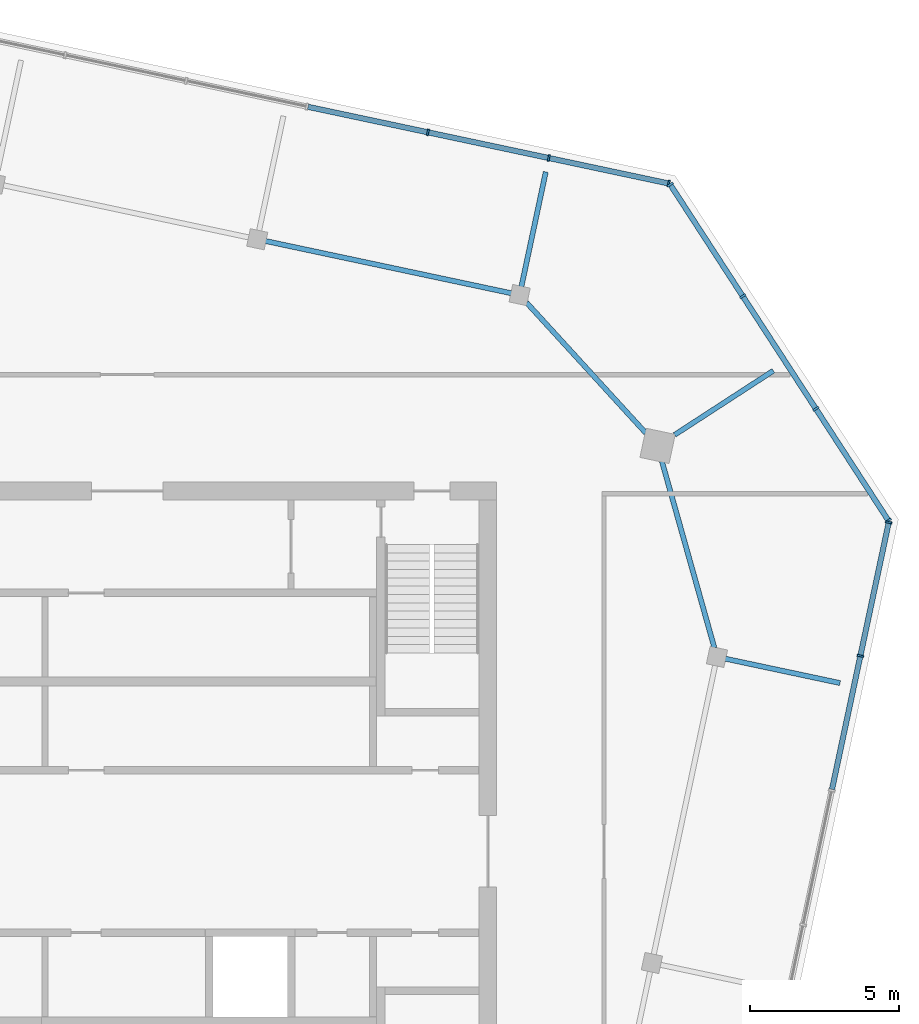
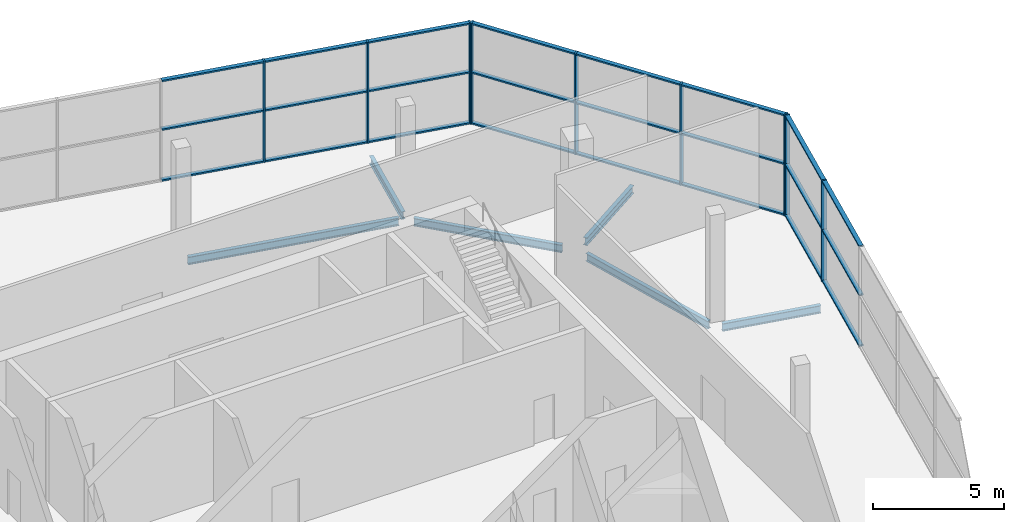
# One storey, part 6 of 11: 33 members, 6 beams, 3 elements without a shape of their own.
"""IFC4 building model written with IfcOpenShell, lengths in metres."""

import ifcopenshell
import ifcopenshell.guid

model = None  # the IFC model being written
_history = None  # IfcOwnerHistory: only IFC2X3 demands one
_inside = {}  # id of a spatial element -> (the spatial element, [elements in it])
_under = {}  # id of a project, library or spatial element -> (it, [spatial elements below it])
_declared = {}  # id of a project -> (the project, [libraries it declares])
_typed = {}  # id of a type object -> (the type object, [elements of that type])
_made_of = {}  # id of a material, layer set ... -> (it, [elements and type objects made of it])


def new_model(schema):
    """Start an empty IFC model of exactly this schema.

    Asked for "IFC4X3", IfcOpenShell would pick the latest addendum, in which some entities
    have other attributes; the version numbers below select the first issue.
    IFC2X3 requires an IfcOwnerHistory on every rooted entity: one is made here for all.
    """
    global model, _history
    if schema == "IFC4X3":
        model = ifcopenshell.file(schema_version=(4, 3, 0, 0))
    else:
        model = ifcopenshell.file(schema=schema)
    _inside.clear()
    _under.clear()
    _declared.clear()
    _typed.clear()
    _made_of.clear()
    _history = None
    if model.schema == "IFC2X3":
        org = make("IfcOrganization", Name="unknown")
        user = make(
            "IfcPersonAndOrganization",
            ThePerson=make("IfcPerson", FamilyName="unknown"),
            TheOrganization=org,
        )
        app = make(
            "IfcApplication",
            ApplicationDeveloper=org,
            Version="unknown",
            ApplicationFullName="unknown",
            ApplicationIdentifier="unknown",
        )
        _history = make(
            "IfcOwnerHistory",
            OwningUser=user,
            OwningApplication=app,
            ChangeAction="ADDED",
            CreationDate=0,
        )
    return model


def make(cls, **values):
    """One entity of the class cls with the attributes given. An attribute that is None is left unset."""
    return model.create_entity(
        cls, **{name: value for name, value in values.items() if value is not None}
    )


def rooted(cls, **values):
    """An entity with a GlobalId (a new one), such as an element, a storey or a relation."""
    return make(cls, GlobalId=ifcopenshell.guid.new(), OwnerHistory=_history, **values)


def si_unit(unit_type, name, prefix=None):
    """IfcSIUnit, for example si_unit("LENGTHUNIT", "METRE", prefix="MILLI")."""
    return make("IfcSIUnit", UnitType=unit_type, Prefix=prefix, Name=name)


def assignment(units):
    """IfcUnitAssignment: the units of a project."""
    return None if units is None else make("IfcUnitAssignment", Units=units)


def point(xyz):
    """IfcCartesianPoint."""
    return None if xyz is None else make("IfcCartesianPoint", Coordinates=xyz)


def direction(xyz):
    """IfcDirection."""
    return None if xyz is None else make("IfcDirection", DirectionRatios=xyz)


def frame(location, z_axis=None, x_axis=None):
    """IfcAxis2Placement3D, a coordinate frame: its origin and axes. An axis left out is left unset."""
    return make(
        "IfcAxis2Placement3D",
        Location=point(location),
        Axis=direction(z_axis),
        RefDirection=direction(x_axis),
    )


def frame_2d(location, x_axis=None):
    """IfcAxis2Placement2D, a coordinate frame in the plane: its origin and x axis."""
    return make(
        "IfcAxis2Placement2D", Location=point(location), RefDirection=direction(x_axis)
    )


def origin():
    """The frame at (0, 0, 0) with its axes left unset."""
    return frame((0.0, 0.0, 0.0))


def origin_2d():
    """The frame at (0, 0) in the plane with its x axis left unset."""
    return frame_2d((0.0, 0.0))


def place(relative_to, where):
    """IfcLocalPlacement: puts the frame where relative to a parent placement (None: the world)."""
    return make(
        "IfcLocalPlacement", PlacementRelTo=relative_to, RelativePlacement=where
    )


def context(
    kind, dimensions, precision=None, world=None, true_north=None, identifier=None
):
    """IfcGeometricRepresentationContext, for example the 3D "Model" context."""
    return make(
        "IfcGeometricRepresentationContext",
        ContextIdentifier=identifier,
        ContextType=kind,
        CoordinateSpaceDimension=dimensions,
        Precision=precision,
        WorldCoordinateSystem=world,
        TrueNorth=true_north,
    )


def subcontext(parent, identifier, kind, view, scale=None):
    """IfcGeometricRepresentationSubContext, for example "Body" below "Model"."""
    return make(
        "IfcGeometricRepresentationSubContext",
        ContextIdentifier=identifier,
        ContextType=kind,
        ParentContext=parent,
        TargetScale=scale,
        TargetView=view,
    )


def project(units=None, contexts=None):
    """IfcProject with its units and contexts."""
    return rooted(
        "IfcProject",
        Name="project",
        RepresentationContexts=contexts,
        UnitsInContext=assignment(units),
    )


def spatial(cls, under=None, at=None, **own):
    """A site, building, storey or space (cls), placed at a placement, below another one or the project."""
    s = rooted(cls, ObjectPlacement=at, **own)
    if under is not None:
        _under.setdefault(under.id(), (under, []))[1].append(s)
    return s


def profile(cls, at=None, kind="AREA", **sizes):
    """A parametric profile (cls). Its sizes go by their IFC names, for example OverallWidth=200.0."""
    return make(cls, ProfileType=kind, Position=at, **sizes)


def rectangle(**sizes):
    """IfcRectangleProfileDef."""
    return profile("IfcRectangleProfileDef", **sizes)


def i_section(**sizes):
    """IfcIShapeProfileDef."""
    return profile("IfcIShapeProfileDef", **sizes)


def extrude(swept, where, along, depth):
    """IfcExtrudedAreaSolid: the profile swept, set in the frame where, extruded along a direction by depth."""
    return make(
        "IfcExtrudedAreaSolid",
        SweptArea=swept,
        Position=where,
        ExtrudedDirection=direction(along),
        Depth=depth,
    )


def shape(context_of_items, identifier, shape_type, items):
    """IfcShapeRepresentation: the items that make up one representation, for example the "Body"."""
    return make(
        "IfcShapeRepresentation",
        ContextOfItems=context_of_items,
        RepresentationIdentifier=identifier,
        RepresentationType=shape_type,
        Items=items,
    )


def material(Name=None, Category=None):
    """IfcMaterial."""
    return make("IfcMaterial", Name=Name, Category=Category)


def material_profile(
    of_material, cross_section, Name=None, Category=None, Priority=None
):
    """IfcMaterialProfile: a cross section and its material."""
    return make(
        "IfcMaterialProfile",
        Name=Name,
        Material=of_material,
        Profile=cross_section,
        Priority=Priority,
        Category=Category,
    )


def profile_set(profiles, Name=None, composite=None):
    """IfcMaterialProfileSet."""
    return make(
        "IfcMaterialProfileSet",
        Name=Name,
        MaterialProfiles=profiles,
        CompositeProfile=composite,
    )


def made_of(thing, what):
    """Note that an element or type object is made of a material, layer set ...; save() writes the relation."""
    if what is not None:
        _made_of.setdefault(what.id(), (what, []))[1].append(thing)
    return thing


def type_object(cls, material=None, **own):
    """A type object (cls), such as IfcWallType, which elements share."""
    return made_of(rooted(cls, **own), material)


def element(
    cls,
    number,
    at=None,
    inside=None,
    cuts=None,
    type_object=None,
    material=None,
    context=None,
    identifier="Body",
    shape_type=None,
    held_by="IfcProductDefinitionShape",
    body=None,
    shapes=None,
    **own,
):
    """One element of the class cls, such as IfcWall. Its Tag is "e" and its number.

    at: its placement. inside: the storey or other place that contains it. cuts: it is an
    opening in that element (IfcRelVoidsElement). A single representation is given by context,
    identifier, shape_type and body (its items); several are given by shapes. held_by: the class
    of the entity that holds the representations. save() writes the other relations.
    """
    e = rooted(cls, Tag="e%d" % number, ObjectPlacement=at, **own)
    if body is not None:
        shapes = [shape(context, identifier, shape_type, body)]
    if shapes is not None:
        e.Representation = make(held_by, Representations=shapes)
    if inside is not None:
        _inside.setdefault(inside.id(), (inside, []))[1].append(e)
    if cuts is not None:
        rooted(
            "IfcRelVoidsElement", RelatingBuildingElement=cuts, RelatedOpeningElement=e
        )
    if type_object is not None:
        _typed.setdefault(type_object.id(), (type_object, []))[1].append(e)
    return made_of(e, material)


def aggregate(whole, parts):
    """IfcRelAggregates: a whole, such as a stair, and the parts it consists of."""
    return rooted("IfcRelAggregates", RelatingObject=whole, RelatedObjects=parts)


def save(model, path):
    """Write the relations noted so far, then the file.

    IfcRelAggregates (storeys below a building ...), IfcRelContainedInSpatialStructure (elements
    in a storey), IfcRelDefinesByType, IfcRelAssociatesMaterial and IfcRelDeclares: one each for
    every whole, place, type object, material and project.
    """
    for whole, parts in _under.values():
        aggregate(whole, parts)
    for where, things in _inside.values():
        rooted(
            "IfcRelContainedInSpatialStructure",
            RelatedElements=things,
            RelatingStructure=where,
        )
    for kind, things in _typed.values():
        rooted("IfcRelDefinesByType", RelatedObjects=things, RelatingType=kind)
    for what, things in _made_of.values():
        rooted("IfcRelAssociatesMaterial", RelatedObjects=things, RelatingMaterial=what)
    for by, libraries in _declared.values():
        rooted("IfcRelDeclares", RelatingContext=by, RelatedDefinitions=libraries)
    model.write(path)


model = new_model("IFC4")

# Units and contexts
model_context = context("Model", 3, precision=1e-05, world=origin(), true_north=direction((0.0, 1.0)))
body_context = subcontext(model_context, "Body", "Model", "MODEL_VIEW")
ifc_project = project(units=[si_unit("LENGTHUNIT", "METRE"), si_unit("AREAUNIT", "SQUARE_METRE"), si_unit("VOLUMEUNIT", "CUBIC_METRE"), si_unit("PLANEANGLEUNIT", "RADIAN"), si_unit("MASSUNIT", "GRAM", prefix="KILO")], contexts=[model_context])

# Site, building, storey
site_placement = place(None, origin())
site = spatial("IfcSite", under=ifc_project, at=site_placement, CompositionType="ELEMENT")
building_placement = place(site_placement, origin())
building = spatial("IfcBuilding", under=site, at=building_placement, Name="Dilmun Exchange Tower", CompositionType="ELEMENT")
storey_placement = place(building_placement, frame((0.0, 0.0, 363.10009765625)))
storey = spatial("IfcBuildingStorey", under=building, at=storey_placement, Name="Crown L85", CompositionType="ELEMENT", Elevation=363.10009765625)

# Curtain wall, members
ifc_material_1 = material(Name="Anodised aluminium and clear glass", Category="aluminium")
curtain_wall_type = type_object("IfcCurtainWallType", Name="Sky garden glazing", PredefinedType="NOTDEFINED", material=ifc_material_1)
curtain_wall_1_placement = place(storey_placement, origin())
curtain_wall_1 = element("IfcCurtainWall", 1, at=curtain_wall_1_placement, inside=storey, type_object=curtain_wall_type, Name="Sky garden glazing run SG3", PredefinedType="NOTDEFINED")
ifc_material_2 = material(Name="Anodised aluminium", Category="aluminium")
ifc_material_profile_1 = material_profile(ifc_material_2, rectangle(XDim=0.219970703125, YDim=0.070068359375, at=origin_2d()), Name="AL 70x220")
ifc_profile_set_1 = profile_set([ifc_material_profile_1], Name="Anodised aluminium")
member_type_1 = type_object("IfcMemberType", Name="Sky garden glazing mullion 70 x 220", PredefinedType="MULLION", material=ifc_profile_set_1)
member_1_placement = place(storey_placement, frame((24.60205078125, 6.5625, 0.0), z_axis=(0.0, 0.0, 1.0), x_axis=(-0.978147226228, 0.207913452722, 0.0)))
member_1 = element("IfcMember", 2, at=member_1_placement, type_object=member_type_1, Name="SG3 mullion 7", PredefinedType="MULLION", context=body_context, shape_type="SweptSolid", body=[
    extrude(rectangle(XDim=0.219970703125, YDim=0.070068359375, at=origin_2d()), origin(), (0.0, 0.0, 1.0), 4.699951171875),
])
member_2_placement = place(storey_placement, frame((25.553955078125, 11.041259765625, 0.0), z_axis=(0.0, 0.0, 1.0), x_axis=(-0.978147226228, 0.207913452722, 0.0)))
member_2 = element("IfcMember", 3, at=member_2_placement, type_object=member_type_1, Name="SG3 mullion 8", PredefinedType="MULLION", context=body_context, shape_type="SweptSolid", body=[
    extrude(rectangle(XDim=0.219970703125, YDim=0.070068359375, at=origin_2d()), origin(), (0.0, 0.0, 1.0), 4.699951171875),
])

curtain_wall_2_placement = place(storey_placement, origin())
curtain_wall_2 = element("IfcCurtainWall", 4, at=curtain_wall_2_placement, inside=storey, type_object=curtain_wall_type, Name="Sky garden glazing run SG4", PredefinedType="NOTDEFINED")
member_3_placement = place(storey_placement, frame((25.542236328125, 11.104736328125, 0.0), z_axis=(0.0, 0.0, 1.0), x_axis=(-0.838667132077, -0.544644325751, 0.0)))
member_3 = element("IfcMember", 5, at=member_3_placement, type_object=member_type_1, Name="SG4 mullion 1", PredefinedType="MULLION", context=body_context, shape_type="SweptSolid", body=[
    extrude(rectangle(XDim=0.219970703125, YDim=0.070068359375, at=origin_2d()), origin(), (0.0, 0.0, 1.0), 4.699951171875),
])
member_4_placement = place(storey_placement, frame((23.10888671875, 14.851806640625, 0.0), z_axis=(0.0, 0.0, 1.0), x_axis=(-0.838667132077, -0.544644325751, 0.0)))
member_4 = element("IfcMember", 6, at=member_4_placement, type_object=member_type_1, Name="SG4 mullion 2", PredefinedType="MULLION", context=body_context, shape_type="SweptSolid", body=[
    extrude(rectangle(XDim=0.219970703125, YDim=0.070068359375, at=origin_2d()), origin(), (0.0, 0.0, 1.0), 4.699951171875),
])
member_5_placement = place(storey_placement, frame((20.65625, 18.62841796875, 0.0), z_axis=(0.0, 0.0, 1.0), x_axis=(-0.838667132077, -0.544644325751, 0.0)))
member_5 = element("IfcMember", 7, at=member_5_placement, type_object=member_type_1, Name="SG4 mullion 3", PredefinedType="MULLION", context=body_context, shape_type="SweptSolid", body=[
    extrude(rectangle(XDim=0.219970703125, YDim=0.070068359375, at=origin_2d()), origin(), (0.0, 0.0, 1.0), 4.699951171875),
])
member_6_placement = place(storey_placement, frame((18.222900390625, 22.37548828125, 0.0), z_axis=(0.0, 0.0, 1.0), x_axis=(-0.838667132077, -0.544644325751, 0.0)))
member_6 = element("IfcMember", 8, at=member_6_placement, type_object=member_type_1, Name="SG4 mullion 4", PredefinedType="MULLION", context=body_context, shape_type="SweptSolid", body=[
    extrude(rectangle(XDim=0.219970703125, YDim=0.070068359375, at=origin_2d()), origin(), (0.0, 0.0, 1.0), 4.699951171875),
])

curtain_wall_3_placement = place(storey_placement, origin())
curtain_wall_3 = element("IfcCurtainWall", 9, at=curtain_wall_3_placement, inside=storey, type_object=curtain_wall_type, Name="Sky garden glazing run SG5", PredefinedType="NOTDEFINED")
member_7_placement = place(storey_placement, frame((18.169677734375, 22.412109375, 0.0), z_axis=(0.0, 0.0, 1.0), x_axis=(-0.207910236087, -0.978147909945, 0.0)))
member_7 = element("IfcMember", 10, at=member_7_placement, type_object=member_type_1, Name="SG5 mullion 1", PredefinedType="MULLION", context=body_context, shape_type="SweptSolid", body=[
    extrude(rectangle(XDim=0.219970703125, YDim=0.070068359375, at=origin_2d()), origin(), (0.0, 0.0, 1.0), 4.699951171875),
])
member_8_placement = place(storey_placement, frame((14.1474609375, 23.26708984375, 0.0), z_axis=(0.0, 0.0, 1.0), x_axis=(-0.207910236087, -0.978147909945, 0.0)))
member_8 = element("IfcMember", 11, at=member_8_placement, type_object=member_type_1, Name="SG5 mullion 2", PredefinedType="MULLION", context=body_context, shape_type="SweptSolid", body=[
    extrude(rectangle(XDim=0.219970703125, YDim=0.070068359375, at=origin_2d()), origin(), (0.0, 0.0, 1.0), 4.699951171875),
])
member_9_placement = place(storey_placement, frame((10.09130859375, 24.129150390625, 0.0), z_axis=(0.0, 0.0, 1.0), x_axis=(-0.207910236087, -0.978147909945, 0.0)))
member_9 = element("IfcMember", 12, at=member_9_placement, type_object=member_type_1, Name="SG5 mullion 3", PredefinedType="MULLION", context=body_context, shape_type="SweptSolid", body=[
    extrude(rectangle(XDim=0.219970703125, YDim=0.070068359375, at=origin_2d()), origin(), (0.0, 0.0, 1.0), 4.699951171875),
])

# Member
ifc_material_profile_2 = material_profile(ifc_material_2, rectangle(XDim=0.179931640625, YDim=0.070068359375, at=origin_2d()), Name="AL 70x180")
ifc_profile_set_2 = profile_set([ifc_material_profile_2], Name="Anodised aluminium")
member_type_2 = type_object("IfcMemberType", Name="Sky garden glazing transom 70 x 180", PredefinedType="USERDEFINED", material=ifc_profile_set_2)
member_10_placement = place(storey_placement, frame((23.650146484375, 2.083984375, 0.034912109375), z_axis=(0.207892173013, 0.978151749168, 0.0), x_axis=(-0.978151749168, 0.207892173013, 0.0)))
member_10 = element("IfcMember", 13, at=member_10_placement, type_object=member_type_2, Name="SG3 transom 6.1", ObjectType="TRANSOM", PredefinedType="USERDEFINED", context=body_context, shape_type="SweptSolid", body=[
    extrude(rectangle(XDim=0.179931640625, YDim=0.070068359375, at=origin_2d()), origin(), (0.0, 0.0, 1.0), 4.543701171875),
])

member_11_placement = place(storey_placement, frame((23.650146484375, 2.083984375, 2.39990234375), z_axis=(0.207892173013, 0.978151749168, 0.0), x_axis=(-0.978151749168, 0.207892173013, 0.0)))
member_11 = element("IfcMember", 14, at=member_11_placement, type_object=member_type_2, Name="SG3 transom 6.2", ObjectType="TRANSOM", PredefinedType="USERDEFINED", context=body_context, shape_type="SweptSolid", body=[
    extrude(rectangle(XDim=0.179931640625, YDim=0.070068359375, at=origin_2d()), origin(), (0.0, 0.0, 1.0), 4.543701171875),
])

member_12_placement = place(storey_placement, frame((23.650146484375, 2.083984375, 4.664794921875), z_axis=(0.207892173013, 0.978151749168, 0.0), x_axis=(-0.978151749168, 0.207892173013, 0.0)))
member_12 = element("IfcMember", 15, at=member_12_placement, type_object=member_type_2, Name="SG3 transom 6.3", ObjectType="TRANSOM", PredefinedType="USERDEFINED", context=body_context, shape_type="SweptSolid", body=[
    extrude(rectangle(XDim=0.179931640625, YDim=0.070068359375, at=origin_2d()), origin(), (0.0, 0.0, 1.0), 4.543701171875),
])

member_13_placement = place(storey_placement, frame((24.609375, 6.5966796875, 0.034912109375), z_axis=(0.207879479711, 0.978154446862, 0.0), x_axis=(-0.978154446862, 0.207879479711, 0.0)))
member_13 = element("IfcMember", 16, at=member_13_placement, type_object=member_type_2, Name="SG3 transom 7.1", ObjectType="TRANSOM", PredefinedType="USERDEFINED", context=body_context, shape_type="SweptSolid", body=[
    extrude(rectangle(XDim=0.179931640625, YDim=0.070068359375, at=origin_2d()), origin(), (0.0, 0.0, 1.0), 4.508544921875),
])

member_14_placement = place(storey_placement, frame((24.609375, 6.5966796875, 2.39990234375), z_axis=(0.207879479711, 0.978154446862, 0.0), x_axis=(-0.978154446862, 0.207879479711, 0.0)))
member_14 = element("IfcMember", 17, at=member_14_placement, type_object=member_type_2, Name="SG3 transom 7.2", ObjectType="TRANSOM", PredefinedType="USERDEFINED", context=body_context, shape_type="SweptSolid", body=[
    extrude(rectangle(XDim=0.179931640625, YDim=0.070068359375, at=origin_2d()), origin(), (0.0, 0.0, 1.0), 4.508544921875),
])

member_15_placement = place(storey_placement, frame((24.609375, 6.5966796875, 4.664794921875), z_axis=(0.207879479711, 0.978154446862, 0.0), x_axis=(-0.978154446862, 0.207879479711, 0.0)))
member_15 = element("IfcMember", 18, at=member_15_placement, type_object=member_type_2, Name="SG3 transom 7.3", ObjectType="TRANSOM", PredefinedType="USERDEFINED", context=body_context, shape_type="SweptSolid", body=[
    extrude(rectangle(XDim=0.179931640625, YDim=0.070068359375, at=origin_2d()), origin(), (0.0, 0.0, 1.0), 4.508544921875),
])

aggregate(curtain_wall_1, [member_1, member_2, member_10, member_11, member_12, member_13, member_14, member_15])

member_16_placement = place(storey_placement, frame((25.523193359375, 11.134033203125, 0.034912109375), z_axis=(-0.544629276815, 0.838676904914, 0.0), x_axis=(-0.838676904914, -0.544629276815, 0.0)))
member_16 = element("IfcMember", 19, at=member_16_placement, type_object=member_type_2, Name="SG4 transom 1.1", ObjectType="TRANSOM", PredefinedType="USERDEFINED", context=body_context, shape_type="SweptSolid", body=[
    extrude(rectangle(XDim=0.179931640625, YDim=0.070068359375, at=origin_2d()), origin(), (0.0, 0.0, 1.0), 4.39794921875),
])

member_17_placement = place(storey_placement, frame((25.523193359375, 11.134033203125, 2.39990234375), z_axis=(-0.544629276815, 0.838676904914, 0.0), x_axis=(-0.838676904914, -0.544629276815, 0.0)))
member_17 = element("IfcMember", 20, at=member_17_placement, type_object=member_type_2, Name="SG4 transom 1.2", ObjectType="TRANSOM", PredefinedType="USERDEFINED", context=body_context, shape_type="SweptSolid", body=[
    extrude(rectangle(XDim=0.179931640625, YDim=0.070068359375, at=origin_2d()), origin(), (0.0, 0.0, 1.0), 4.39794921875),
])

member_18_placement = place(storey_placement, frame((25.523193359375, 11.134033203125, 4.664794921875), z_axis=(-0.544629276815, 0.838676904914, 0.0), x_axis=(-0.838676904914, -0.544629276815, 0.0)))
member_18 = element("IfcMember", 21, at=member_18_placement, type_object=member_type_2, Name="SG4 transom 1.3", ObjectType="TRANSOM", PredefinedType="USERDEFINED", context=body_context, shape_type="SweptSolid", body=[
    extrude(rectangle(XDim=0.179931640625, YDim=0.070068359375, at=origin_2d()), origin(), (0.0, 0.0, 1.0), 4.39794921875),
])

member_19_placement = place(storey_placement, frame((23.08984375, 14.881103515625, 0.034912109375), z_axis=(-0.544670843925, 0.83864991014, 0.0), x_axis=(-0.83864991014, -0.544670843925, 0.0)))
member_19 = element("IfcMember", 22, at=member_19_placement, type_object=member_type_2, Name="SG4 transom 2.1", ObjectType="TRANSOM", PredefinedType="USERDEFINED", context=body_context, shape_type="SweptSolid", body=[
    extrude(rectangle(XDim=0.179931640625, YDim=0.070068359375, at=origin_2d()), origin(), (0.0, 0.0, 1.0), 4.43310546875),
])

member_20_placement = place(storey_placement, frame((23.08984375, 14.881103515625, 2.39990234375), z_axis=(-0.544670843925, 0.83864991014, 0.0), x_axis=(-0.83864991014, -0.544670843925, 0.0)))
member_20 = element("IfcMember", 23, at=member_20_placement, type_object=member_type_2, Name="SG4 transom 2.2", ObjectType="TRANSOM", PredefinedType="USERDEFINED", context=body_context, shape_type="SweptSolid", body=[
    extrude(rectangle(XDim=0.179931640625, YDim=0.070068359375, at=origin_2d()), origin(), (0.0, 0.0, 1.0), 4.43310546875),
])

member_21_placement = place(storey_placement, frame((23.08984375, 14.881103515625, 4.664794921875), z_axis=(-0.544670843925, 0.83864991014, 0.0), x_axis=(-0.83864991014, -0.544670843925, 0.0)))
member_21 = element("IfcMember", 24, at=member_21_placement, type_object=member_type_2, Name="SG4 transom 2.3", ObjectType="TRANSOM", PredefinedType="USERDEFINED", context=body_context, shape_type="SweptSolid", body=[
    extrude(rectangle(XDim=0.179931640625, YDim=0.070068359375, at=origin_2d()), origin(), (0.0, 0.0, 1.0), 4.43310546875),
])

member_22_placement = place(storey_placement, frame((20.63720703125, 18.65771484375, 0.034912109375), z_axis=(-0.544629276815, 0.838676904914, 0.0), x_axis=(-0.838676904914, -0.544629276815, 0.0)))
member_22 = element("IfcMember", 25, at=member_22_placement, type_object=member_type_2, Name="SG4 transom 3.1", ObjectType="TRANSOM", PredefinedType="USERDEFINED", context=body_context, shape_type="SweptSolid", body=[
    extrude(rectangle(XDim=0.179931640625, YDim=0.070068359375, at=origin_2d()), origin(), (0.0, 0.0, 1.0), 4.39794921875),
])

member_23_placement = place(storey_placement, frame((20.63720703125, 18.65771484375, 2.39990234375), z_axis=(-0.544629276815, 0.838676904914, 0.0), x_axis=(-0.838676904914, -0.544629276815, 0.0)))
member_23 = element("IfcMember", 26, at=member_23_placement, type_object=member_type_2, Name="SG4 transom 3.2", ObjectType="TRANSOM", PredefinedType="USERDEFINED", context=body_context, shape_type="SweptSolid", body=[
    extrude(rectangle(XDim=0.179931640625, YDim=0.070068359375, at=origin_2d()), origin(), (0.0, 0.0, 1.0), 4.39794921875),
])

member_24_placement = place(storey_placement, frame((20.63720703125, 18.65771484375, 4.664794921875), z_axis=(-0.544629276815, 0.838676904914, 0.0), x_axis=(-0.838676904914, -0.544629276815, 0.0)))
member_24 = element("IfcMember", 27, at=member_24_placement, type_object=member_type_2, Name="SG4 transom 3.3", ObjectType="TRANSOM", PredefinedType="USERDEFINED", context=body_context, shape_type="SweptSolid", body=[
    extrude(rectangle(XDim=0.179931640625, YDim=0.070068359375, at=origin_2d()), origin(), (0.0, 0.0, 1.0), 4.39794921875),
])

aggregate(curtain_wall_2, [member_3, member_4, member_5, member_6, member_16, member_17, member_18, member_19, member_20, member_21, member_22, member_23, member_24])

member_25_placement = place(storey_placement, frame((18.13525390625, 22.41943359375, 0.034912109375), z_axis=(-0.978149332227, 0.207903544617, 0.0), x_axis=(-0.207903544617, -0.978149332227, 0.0)))
member_25 = element("IfcMember", 28, at=member_25_placement, type_object=member_type_2, Name="SG5 transom 1.1", ObjectType="TRANSOM", PredefinedType="USERDEFINED", context=body_context, shape_type="SweptSolid", body=[
    extrude(rectangle(XDim=0.179931640625, YDim=0.070068359375, at=origin_2d()), origin(), (0.0, 0.0, 1.0), 4.0419921875),
])

member_26_placement = place(storey_placement, frame((18.13525390625, 22.41943359375, 2.39990234375), z_axis=(-0.978149332227, 0.207903544617, 0.0), x_axis=(-0.207903544617, -0.978149332227, 0.0)))
member_26 = element("IfcMember", 29, at=member_26_placement, type_object=member_type_2, Name="SG5 transom 1.2", ObjectType="TRANSOM", PredefinedType="USERDEFINED", context=body_context, shape_type="SweptSolid", body=[
    extrude(rectangle(XDim=0.179931640625, YDim=0.070068359375, at=origin_2d()), origin(), (0.0, 0.0, 1.0), 4.0419921875),
])

member_27_placement = place(storey_placement, frame((18.13525390625, 22.41943359375, 4.664794921875), z_axis=(-0.978149332227, 0.207903544617, 0.0), x_axis=(-0.207903544617, -0.978149332227, 0.0)))
member_27 = element("IfcMember", 30, at=member_27_placement, type_object=member_type_2, Name="SG5 transom 1.3", ObjectType="TRANSOM", PredefinedType="USERDEFINED", context=body_context, shape_type="SweptSolid", body=[
    extrude(rectangle(XDim=0.179931640625, YDim=0.070068359375, at=origin_2d()), origin(), (0.0, 0.0, 1.0), 4.0419921875),
])

member_28_placement = place(storey_placement, frame((14.11328125, 23.274169921875, 0.034912109375), z_axis=(-0.978146369204, 0.207917484626, 0.0), x_axis=(-0.207917484626, -0.978146369204, 0.0)))
member_28 = element("IfcMember", 31, at=member_28_placement, type_object=member_type_2, Name="SG5 transom 2.1", ObjectType="TRANSOM", PredefinedType="USERDEFINED", context=body_context, shape_type="SweptSolid", body=[
    extrude(rectangle(XDim=0.179931640625, YDim=0.070068359375, at=origin_2d()), origin(), (0.0, 0.0, 1.0), 4.076904296875),
])

member_29_placement = place(storey_placement, frame((14.11328125, 23.274169921875, 2.39990234375), z_axis=(-0.978146369204, 0.207917484626, 0.0), x_axis=(-0.207917484626, -0.978146369204, 0.0)))
member_29 = element("IfcMember", 32, at=member_29_placement, type_object=member_type_2, Name="SG5 transom 2.2", ObjectType="TRANSOM", PredefinedType="USERDEFINED", context=body_context, shape_type="SweptSolid", body=[
    extrude(rectangle(XDim=0.179931640625, YDim=0.070068359375, at=origin_2d()), origin(), (0.0, 0.0, 1.0), 4.076904296875),
])

member_30_placement = place(storey_placement, frame((14.11328125, 23.274169921875, 4.664794921875), z_axis=(-0.978146369204, 0.207917484626, 0.0), x_axis=(-0.207917484626, -0.978146369204, 0.0)))
member_30 = element("IfcMember", 33, at=member_30_placement, type_object=member_type_2, Name="SG5 transom 2.3", ObjectType="TRANSOM", PredefinedType="USERDEFINED", context=body_context, shape_type="SweptSolid", body=[
    extrude(rectangle(XDim=0.179931640625, YDim=0.070068359375, at=origin_2d()), origin(), (0.0, 0.0, 1.0), 4.076904296875),
])

member_31_placement = place(storey_placement, frame((10.056884765625, 24.136474609375, 0.034912109375), z_axis=(-0.978146369204, 0.207917484626, 0.0), x_axis=(-0.207917484626, -0.978146369204, 0.0)))
member_31 = element("IfcMember", 34, at=member_31_placement, type_object=member_type_2, Name="SG5 transom 3.1", ObjectType="TRANSOM", PredefinedType="USERDEFINED", context=body_context, shape_type="SweptSolid", body=[
    extrude(rectangle(XDim=0.179931640625, YDim=0.070068359375, at=origin_2d()), origin(), (0.0, 0.0, 1.0), 4.076904296875),
])

member_32_placement = place(storey_placement, frame((10.056884765625, 24.136474609375, 2.39990234375), z_axis=(-0.978146369204, 0.207917484626, 0.0), x_axis=(-0.207917484626, -0.978146369204, 0.0)))
member_32 = element("IfcMember", 35, at=member_32_placement, type_object=member_type_2, Name="SG5 transom 3.2", ObjectType="TRANSOM", PredefinedType="USERDEFINED", context=body_context, shape_type="SweptSolid", body=[
    extrude(rectangle(XDim=0.179931640625, YDim=0.070068359375, at=origin_2d()), origin(), (0.0, 0.0, 1.0), 4.076904296875),
])

member_33_placement = place(storey_placement, frame((10.056884765625, 24.136474609375, 4.664794921875), z_axis=(-0.978146369204, 0.207917484626, 0.0), x_axis=(-0.207917484626, -0.978146369204, 0.0)))
member_33 = element("IfcMember", 36, at=member_33_placement, type_object=member_type_2, Name="SG5 transom 3.3", ObjectType="TRANSOM", PredefinedType="USERDEFINED", context=body_context, shape_type="SweptSolid", body=[
    extrude(rectangle(XDim=0.179931640625, YDim=0.070068359375, at=origin_2d()), origin(), (0.0, 0.0, 1.0), 4.076904296875),
])

aggregate(curtain_wall_3, [member_7, member_8, member_9, member_25, member_26, member_27, member_28, member_29, member_30, member_31, member_32, member_33])

# Beams
ifc_material_3 = material(Name="Steel S355", Category="steel")
ifc_material_profile_3 = material_profile(ifc_material_3, i_section(OverallWidth=0.169921875, OverallDepth=0.360107421875, WebThickness=0.008056640625, FlangeThickness=0.0126953125, FilletRadius=0.01806640625, at=origin_2d()), Name="IPE 360")
ifc_profile_set_3 = profile_set([ifc_material_profile_3], Name="Steel S355")
beam_type_1 = type_object("IfcBeamType", Name="crown cantilever beam IPE 360", PredefinedType="BEAM", material=ifc_profile_set_3)
beam_1_placement = place(storey_placement, frame((20.056884765625, 6.47119140625, -0.47998046875), z_axis=(0.978146596989, -0.207916413008, 0.0), x_axis=(0.207916413008, 0.978146596989, 0.0)))
element("IfcBeam", 37, at=beam_1_placement, inside=storey, type_object=beam_type_1, Name="Crown cantilever beam 12", PredefinedType="BEAM", context=body_context, shape_type="SweptSolid", body=[
    extrude(i_section(OverallWidth=0.169921875, OverallDepth=0.360107421875, WebThickness=0.008056640625, FlangeThickness=0.0126953125, FilletRadius=0.01806640625, at=origin_2d()), origin(), (0.0, 0.0, 1.0), 3.9501953125),
])
beam_2_placement = place(storey_placement, frame((18.368408203125, 13.977294921875, -0.47998046875), z_axis=(0.838665249911, 0.544647223982, 0.0), x_axis=(-0.544647223982, 0.838665249911, 0.0)))
element("IfcBeam", 38, at=beam_2_placement, inside=storey, type_object=beam_type_1, Name="Crown cantilever beam 13", PredefinedType="BEAM", context=body_context, shape_type="SweptSolid", body=[
    extrude(i_section(OverallWidth=0.169921875, OverallDepth=0.360107421875, WebThickness=0.008056640625, FlangeThickness=0.0126953125, FilletRadius=0.01806640625, at=origin_2d()), origin(), (0.0, 0.0, 1.0), 3.949951171875),
])
beam_3_placement = place(storey_placement, frame((13.225830078125, 18.93701171875, -0.47998046875), z_axis=(0.207916413008, 0.978146596989, 0.0), x_axis=(-0.978146596989, 0.207916413008, 0.0)))
element("IfcBeam", 39, at=beam_3_placement, inside=storey, type_object=beam_type_1, Name="Crown cantilever beam 14", PredefinedType="BEAM", context=body_context, shape_type="SweptSolid", body=[
    extrude(i_section(OverallWidth=0.169921875, OverallDepth=0.360107421875, WebThickness=0.008056640625, FlangeThickness=0.0126953125, FilletRadius=0.01806640625, at=origin_2d()), origin(), (0.0, 0.0, 1.0), 3.9501953125),
])
ifc_material_profile_4 = material_profile(ifc_material_3, i_section(OverallWidth=0.169921875, OverallDepth=0.360107421875, WebThickness=0.008056640625, FlangeThickness=0.0126953125, FilletRadius=0.01806640625, at=origin_2d()), Name="IPE 360")
ifc_profile_set_4 = profile_set([ifc_material_profile_4], Name="Steel S355")
beam_type_2 = type_object("IfcBeamType", Name="crown ring beam IPE 360", PredefinedType="BEAM", material=ifc_profile_set_4)
beam_4_placement = place(storey_placement, frame((19.70556640625, 6.828125, -0.47998046875), z_axis=(-0.27088688056, 0.962611187313, 0.0), x_axis=(-0.962611187313, -0.27088688056, 0.0)))
element("IfcBeam", 40, at=beam_4_placement, inside=storey, type_object=beam_type_2, Name="Crown ring beam 12", PredefinedType="BEAM", context=body_context, shape_type="SweptSolid", body=[
    extrude(i_section(OverallWidth=0.169921875, OverallDepth=0.360107421875, WebThickness=0.008056640625, FlangeThickness=0.0126953125, FilletRadius=0.01806640625, at=origin_2d()), origin(), (0.0, 0.0, 1.0), 6.50439453125),
])
beam_5_placement = place(storey_placement, frame((17.401611328125, 14.040771484375, -0.47998046875), z_axis=(-0.674784574678, 0.738014754443, 0.0), x_axis=(-0.738014754443, -0.674784574678, 0.0)))
element("IfcBeam", 41, at=beam_5_placement, inside=storey, type_object=beam_type_2, Name="Crown ring beam 13", PredefinedType="BEAM", context=body_context, shape_type="SweptSolid", body=[
    extrude(i_section(OverallWidth=0.169921875, OverallDepth=0.360107421875, WebThickness=0.008056640625, FlangeThickness=0.0126953125, FilletRadius=0.01806640625, at=origin_2d()), origin(), (0.0, 0.0, 1.0), 5.9306640625),
])
beam_6_placement = place(storey_placement, frame((12.902099609375, 18.726806640625, -0.47998046875), z_axis=(-0.978155180899, 0.207876025749, 0.0), x_axis=(-0.207876025749, -0.978155180899, 0.0)))
element("IfcBeam", 42, at=beam_6_placement, inside=storey, type_object=beam_type_2, Name="Crown ring beam 14", PredefinedType="BEAM", context=body_context, shape_type="SweptSolid", body=[
    extrude(i_section(OverallWidth=0.169921875, OverallDepth=0.360107421875, WebThickness=0.008056640625, FlangeThickness=0.0126953125, FilletRadius=0.01806640625, at=origin_2d()), origin(), (0.0, 0.0, 1.0), 8.45361328125),
])

save(model, "model.ifc")
